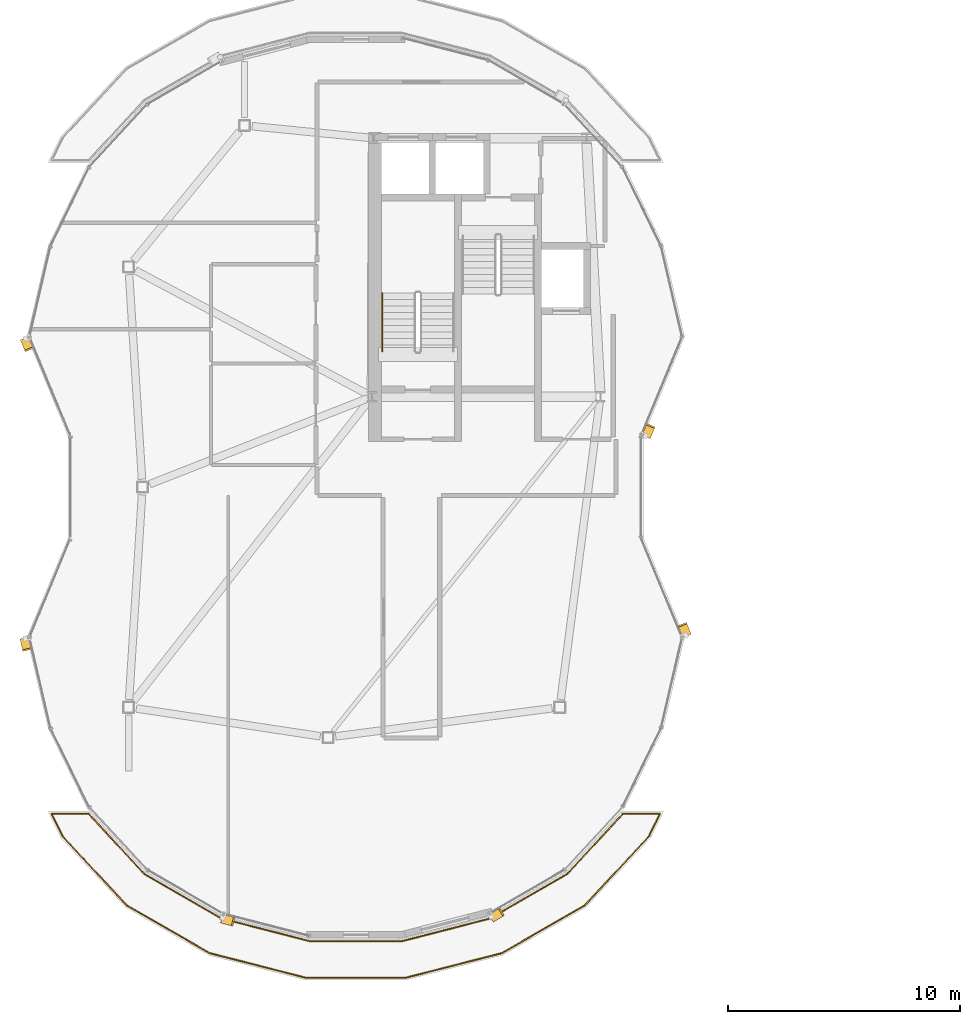
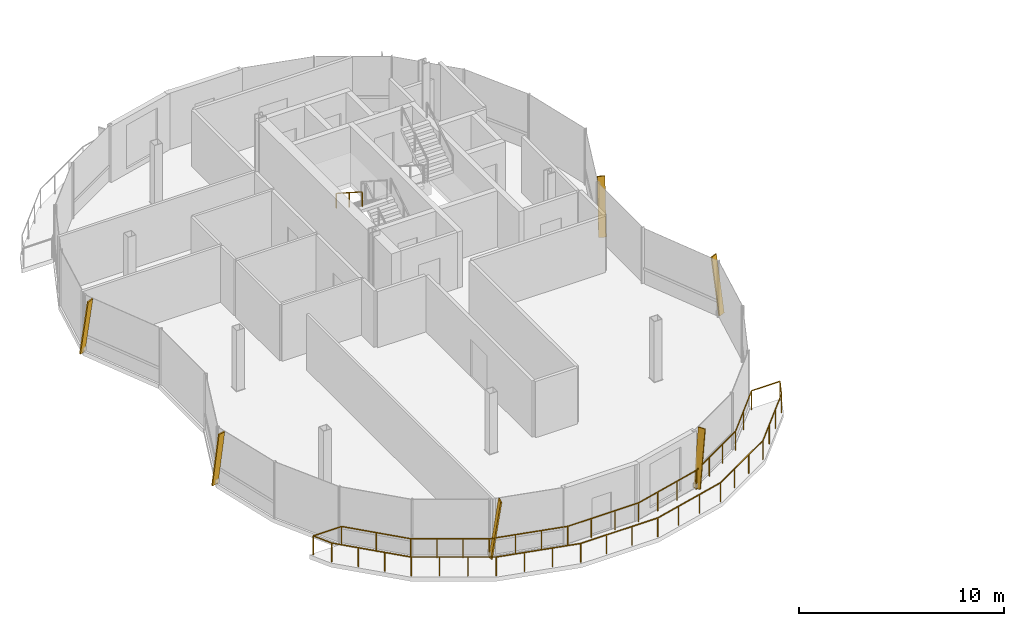
# One storey, part 17 of 20: 10 railings, 6 shading devices.
"""IFC4 building model written with IfcOpenShell, lengths in metres."""

from ifc_helpers import new_model, si_unit, direction, frame, origin, origin_2d, place, context, subcontext, project, spatial, rectangle, extrude, material, material_profile, profile_set, type_object, element, save


model = new_model("IFC4")

# Units and contexts
model_context = context("Model", 3, precision=1e-05, world=origin(), true_north=direction((0.0, 1.0)))
body_context = subcontext(model_context, "Body", "Model", "MODEL_VIEW")
ifc_project = project(units=[si_unit("LENGTHUNIT", "METRE"), si_unit("AREAUNIT", "SQUARE_METRE"), si_unit("VOLUMEUNIT", "CUBIC_METRE"), si_unit("PLANEANGLEUNIT", "RADIAN"), si_unit("MASSUNIT", "GRAM", prefix="KILO"), si_unit("THERMODYNAMICTEMPERATUREUNIT", "KELVIN"), si_unit("POWERUNIT", "WATT")], contexts=[model_context])

# Site, building, storey
site_placement = place(None, origin())
site = spatial("IfcSite", under=ifc_project, at=site_placement, CompositionType="ELEMENT")
building_placement = place(site_placement, origin())
building = spatial("IfcBuilding", under=site, at=building_placement, Name="Cundina Bronze Exchange", CompositionType="ELEMENT")
storey_placement = place(building_placement, frame((0.0, 0.0, 282.800048828125)))
storey = spatial("IfcBuildingStorey", under=building, at=storey_placement, Name="L75", CompositionType="ELEMENT", Elevation=282.800048828125)

# Railings
ifc_material_1 = material(Name="Heat-Strengthened Solar-Control Bronze Safety Glass 28mm", Category="glass")
railing_type_1 = type_object("IfcRailingType", Name="RLG-BAL-1150", PredefinedType="BALUSTRADE", material=ifc_material_1)
railing_1_placement = place(storey_placement, frame((-19.359375, -15.07470703125, 0.0)))
element("IfcRailing", 1, at=railing_1_placement, inside=storey, type_object=railing_type_1, Name="L75 Perimeter Safety Guardrail 01", PredefinedType="BALUSTRADE", context=body_context, shape_type="SweptSolid", body=[
    extrude(rectangle(XDim=0.048095703125, YDim=0.048095703125, at=origin_2d()), frame((0.0, 0.0, 1.1259765625), z_axis=(-0.680478858048, -0.732767714729, 0.0), x_axis=(0.732767714729, -0.680478858048, 0.0)), (0.0, 0.0, 1.0), 4.048095703125),
    extrude(rectangle(XDim=0.048095703125, YDim=0.048095703125, at=origin_2d()), frame((-2.754638671875, -2.96630859375, 1.1259765625), z_axis=(-0.866464594672, -0.499238526338, 0.0), x_axis=(0.499238526338, -0.866464594672, 0.0)), (0.0, 0.0, 1.0), 4.13525390625),
    extrude(rectangle(XDim=0.0419921875, YDim=0.0419921875, at=origin_2d()), origin(), (0.0, 0.0, 1.0), 1.101806640625),
    extrude(rectangle(XDim=0.0419921875, YDim=0.0419921875, at=origin_2d()), frame((-0.918212890625, -0.98876953125, 0.0)), (0.0, 0.0, 1.0), 1.101806640625),
    extrude(rectangle(XDim=0.0419921875, YDim=0.0419921875, at=origin_2d()), frame((-1.83642578125, -1.9775390625, 0.0)), (0.0, 0.0, 1.0), 1.101806640625),
    extrude(rectangle(XDim=0.0419921875, YDim=0.0419921875, at=origin_2d()), frame((-2.754638671875, -2.96630859375, 0.0)), (0.0, 0.0, 1.0), 1.101806640625),
    extrude(rectangle(XDim=0.0419921875, YDim=0.0419921875, at=origin_2d()), frame((-3.948974609375, -3.654541015625, 0.0)), (0.0, 0.0, 1.0), 1.101806640625),
    extrude(rectangle(XDim=0.0419921875, YDim=0.0419921875, at=origin_2d()), frame((-5.143310546875, -4.342529296875, 0.0)), (0.0, 0.0, 1.0), 1.101806640625),
    extrude(rectangle(XDim=0.0419921875, YDim=0.0419921875, at=origin_2d()), frame((-6.337646484375, -5.03076171875, 0.0)), (0.0, 0.0, 1.0), 1.101806640625),
])
railing_2_placement = place(storey_placement, frame((-25.697021484375, -20.10546875, 0.0)))
element("IfcRailing", 2, at=railing_2_placement, inside=storey, type_object=railing_type_1, Name="L75 Perimeter Safety Guardrail 02", PredefinedType="BALUSTRADE", context=body_context, shape_type="SweptSolid", body=[
    extrude(rectangle(XDim=0.048095703125, YDim=0.048095703125, at=origin_2d()), frame((0.0, 0.0, 1.1259765625), z_axis=(-0.968741395097, -0.248072790578, 0.0), x_axis=(0.248072790578, -0.968741395097, 0.0)), (0.0, 0.0, 1.0), 4.271240234375),
    extrude(rectangle(XDim=0.048095703125, YDim=0.048095703125, at=origin_2d()), frame((-4.1376953125, -1.0595703125, 1.1259765625), z_axis=(-1.0, 0.0, 0.0), x_axis=(0.0, -1.0, 0.0)), (0.0, 0.0, 1.0), 4.33056640625),
    extrude(rectangle(XDim=0.0419921875, YDim=0.0419921875, at=origin_2d()), origin(), (0.0, 0.0, 1.0), 1.101806640625),
    extrude(rectangle(XDim=0.0419921875, YDim=0.0419921875, at=origin_2d()), frame((-1.379150390625, -0.353271484375, 0.0)), (0.0, 0.0, 1.0), 1.101806640625),
    extrude(rectangle(XDim=0.0419921875, YDim=0.0419921875, at=origin_2d()), frame((-2.758544921875, -0.706298828125, 0.0)), (0.0, 0.0, 1.0), 1.101806640625),
    extrude(rectangle(XDim=0.0419921875, YDim=0.0419921875, at=origin_2d()), frame((-4.1376953125, -1.0595703125, 0.0)), (0.0, 0.0, 1.0), 1.101806640625),
    extrude(rectangle(XDim=0.0419921875, YDim=0.0419921875, at=origin_2d()), frame((-5.581298828125, -1.0595703125, 0.0)), (0.0, 0.0, 1.0), 1.101806640625),
    extrude(rectangle(XDim=0.0419921875, YDim=0.0419921875, at=origin_2d()), frame((-7.024658203125, -1.0595703125, 0.0)), (0.0, 0.0, 1.0), 1.101806640625),
    extrude(rectangle(XDim=0.0419921875, YDim=0.0419921875, at=origin_2d()), frame((-8.46826171875, -1.0595703125, 0.0)), (0.0, 0.0, 1.0), 1.101806640625),
])
railing_3_placement = place(storey_placement, frame((-34.165283203125, -21.1650390625, 0.0)))
element("IfcRailing", 3, at=railing_3_placement, inside=storey, type_object=railing_type_1, Name="L75 Perimeter Safety Guardrail 03", PredefinedType="BALUSTRADE", context=body_context, shape_type="SweptSolid", body=[
    extrude(rectangle(XDim=0.048095703125, YDim=0.048095703125, at=origin_2d()), frame((0.0, 0.0, 1.1259765625), z_axis=(-0.968741395097, 0.248072790578, 0.0), x_axis=(-0.248072790578, -0.968741395097, 0.0)), (0.0, 0.0, 1.0), 4.271240234375),
    extrude(rectangle(XDim=0.048095703125, YDim=0.048095703125, at=origin_2d()), frame((-4.1376953125, 1.0595703125, 1.1259765625), z_axis=(-0.866464594672, 0.499238526338, 0.0), x_axis=(-0.499238526338, -0.866464594672, 0.0)), (0.0, 0.0, 1.0), 4.13525390625),
    extrude(rectangle(XDim=0.0419921875, YDim=0.0419921875, at=origin_2d()), origin(), (0.0, 0.0, 1.0), 1.101806640625),
    extrude(rectangle(XDim=0.0419921875, YDim=0.0419921875, at=origin_2d()), frame((-1.379150390625, 0.353271484375, 0.0)), (0.0, 0.0, 1.0), 1.101806640625),
    extrude(rectangle(XDim=0.0419921875, YDim=0.0419921875, at=origin_2d()), frame((-2.758544921875, 0.706298828125, 0.0)), (0.0, 0.0, 1.0), 1.101806640625),
    extrude(rectangle(XDim=0.0419921875, YDim=0.0419921875, at=origin_2d()), frame((-4.1376953125, 1.0595703125, 0.0)), (0.0, 0.0, 1.0), 1.101806640625),
    extrude(rectangle(XDim=0.0419921875, YDim=0.0419921875, at=origin_2d()), frame((-5.33203125, 1.747802734375, 0.0)), (0.0, 0.0, 1.0), 1.101806640625),
    extrude(rectangle(XDim=0.0419921875, YDim=0.0419921875, at=origin_2d()), frame((-6.5263671875, 2.435791015625, 0.0)), (0.0, 0.0, 1.0), 1.101806640625),
    extrude(rectangle(XDim=0.0419921875, YDim=0.0419921875, at=origin_2d()), frame((-7.720703125, 3.1240234375, 0.0)), (0.0, 0.0, 1.0), 1.101806640625),
])
railing_4_placement = place(storey_placement, frame((-41.885986328125, -18.041015625, 0.0)))
element("IfcRailing", 4, at=railing_4_placement, inside=storey, type_object=railing_type_1, Name="L75 Perimeter Safety Guardrail 04", PredefinedType="BALUSTRADE", context=body_context, shape_type="SweptSolid", body=[
    extrude(rectangle(XDim=0.048095703125, YDim=0.048095703125, at=origin_2d()), frame((0.0, 0.0, 1.1259765625), z_axis=(-0.680478858048, 0.732767714729, 0.0), x_axis=(-0.732767714729, -0.680478858048, 0.0)), (0.0, 0.0, 1.0), 4.048095703125),
    extrude(rectangle(XDim=0.048095703125, YDim=0.048095703125, at=origin_2d()), frame((-2.754638671875, 2.96630859375, 1.1259765625), z_axis=(-0.43927470941, 0.898352786868, 0.0), x_axis=(-0.898352786868, -0.43927470941, 0.0)), (0.0, 0.0, 1.0), 1.0849609375),
    extrude(rectangle(XDim=0.0419921875, YDim=0.0419921875, at=origin_2d()), origin(), (0.0, 0.0, 1.0), 1.101806640625),
    extrude(rectangle(XDim=0.0419921875, YDim=0.0419921875, at=origin_2d()), frame((-0.918212890625, 0.98876953125, 0.0)), (0.0, 0.0, 1.0), 1.101806640625),
    extrude(rectangle(XDim=0.0419921875, YDim=0.0419921875, at=origin_2d()), frame((-1.83642578125, 1.9775390625, 0.0)), (0.0, 0.0, 1.0), 1.101806640625),
    extrude(rectangle(XDim=0.0419921875, YDim=0.0419921875, at=origin_2d()), frame((-2.754638671875, 2.96630859375, 0.0)), (0.0, 0.0, 1.0), 1.101806640625),
    extrude(rectangle(XDim=0.0419921875, YDim=0.0419921875, at=origin_2d()), frame((-3.231201171875, 3.94091796875, 0.0)), (0.0, 0.0, 1.0), 1.101806640625),
])
railing_5_placement = place(storey_placement, frame((-45.1171875, -14.10009765625, 0.0)))
element("IfcRailing", 5, at=railing_5_placement, inside=storey, type_object=railing_type_1, Name="L75 Perimeter Safety Guardrail 05", PredefinedType="BALUSTRADE", context=body_context, shape_type="SweptSolid", body=[
    extrude(rectangle(XDim=0.048095703125, YDim=0.048095703125, at=origin_2d()), frame((0.0, 0.0, 1.1259765625), z_axis=(1.0, 0.0, 0.0), x_axis=(0.0, 1.0, 0.0)), (0.0, 0.0, 1.0), 1.595458984375),
    extrude(rectangle(XDim=0.048095703125, YDim=0.048095703125, at=origin_2d()), frame((1.595458984375, 0.0, 1.1259765625), z_axis=(0.679395599719, -0.733772184729, 0.0), x_axis=(0.733772184729, 0.679395599719, 0.0)), (0.0, 0.0, 1.0), 3.5244140625),
    extrude(rectangle(XDim=0.0419921875, YDim=0.0419921875, at=origin_2d()), origin(), (0.0, 0.0, 1.0), 1.101806640625),
    extrude(rectangle(XDim=0.0419921875, YDim=0.0419921875, at=origin_2d()), frame((1.595458984375, 0.0, 0.0)), (0.0, 0.0, 1.0), 1.101806640625),
    extrude(rectangle(XDim=0.0419921875, YDim=0.0419921875, at=origin_2d()), frame((2.792724609375, -1.29296875, 0.0)), (0.0, 0.0, 1.0), 1.101806640625),
    extrude(rectangle(XDim=0.0419921875, YDim=0.0419921875, at=origin_2d()), frame((3.989990234375, -2.586181640625, 0.0)), (0.0, 0.0, 1.0), 1.101806640625),
])
railing_6_placement = place(storey_placement, frame((-41.127197265625, -16.686279296875, 0.0)))
element("IfcRailing", 6, at=railing_6_placement, inside=storey, type_object=railing_type_1, Name="L75 Perimeter Safety Guardrail 06", PredefinedType="BALUSTRADE", context=body_context, shape_type="SweptSolid", body=[
    extrude(rectangle(XDim=0.048095703125, YDim=0.048095703125, at=origin_2d()), frame((0.0, 0.0, 1.1259765625), z_axis=(0.86517535854, -0.501469439721, 0.0), x_axis=(0.501469439721, 0.86517535854, 0.0)), (0.0, 0.0, 1.0), 3.82080078125),
    extrude(rectangle(XDim=0.048095703125, YDim=0.048095703125, at=origin_2d()), frame((3.3056640625, -1.916015625, 1.1259765625), z_axis=(0.968310500269, -0.249749424563, 0.0), x_axis=(0.249749424563, 0.968310500269, 0.0)), (0.0, 0.0, 1.0), 3.9619140625),
    extrude(rectangle(XDim=0.0419921875, YDim=0.0419921875, at=origin_2d()), origin(), (0.0, 0.0, 1.0), 1.101806640625),
    extrude(rectangle(XDim=0.0419921875, YDim=0.0419921875, at=origin_2d()), frame((1.101806640625, -0.638671875, 0.0)), (0.0, 0.0, 1.0), 1.101806640625),
    extrude(rectangle(XDim=0.0419921875, YDim=0.0419921875, at=origin_2d()), frame((2.203857421875, -1.27734375, 0.0)), (0.0, 0.0, 1.0), 1.101806640625),
    extrude(rectangle(XDim=0.0419921875, YDim=0.0419921875, at=origin_2d()), frame((3.3056640625, -1.916015625, 0.0)), (0.0, 0.0, 1.0), 1.101806640625),
    extrude(rectangle(XDim=0.0419921875, YDim=0.0419921875, at=origin_2d()), frame((4.58447265625, -2.245849609375, 0.0)), (0.0, 0.0, 1.0), 1.101806640625),
    extrude(rectangle(XDim=0.0419921875, YDim=0.0419921875, at=origin_2d()), frame((5.86328125, -2.57568359375, 0.0)), (0.0, 0.0, 1.0), 1.101806640625),
    extrude(rectangle(XDim=0.0419921875, YDim=0.0419921875, at=origin_2d()), frame((7.14208984375, -2.905517578125, 0.0)), (0.0, 0.0, 1.0), 1.101806640625),
])
railing_7_placement = place(storey_placement, frame((-33.985107421875, -19.591796875, 0.0)))
element("IfcRailing", 7, at=railing_7_placement, inside=storey, type_object=railing_type_1, Name="L75 Perimeter Safety Guardrail 07", PredefinedType="BALUSTRADE", context=body_context, shape_type="SweptSolid", body=[
    extrude(rectangle(XDim=0.048095703125, YDim=0.048095703125, at=origin_2d()), frame((0.0, 0.0, 1.1259765625), z_axis=(0.999999992474, 0.000122684332, 0.0), x_axis=(-0.000122684332, 0.999999992474, 0.0)), (0.0, 0.0, 1.0), 3.97998046875),
    extrude(rectangle(XDim=0.048095703125, YDim=0.048095703125, at=origin_2d()), frame((3.97998046875, 0.00048828125, 1.1259765625), z_axis=(0.968349470457, 0.249598283379, 0.0), x_axis=(-0.249598283379, 0.968349470457, 0.0)), (0.0, 0.0, 1.0), 3.93310546875),
    extrude(rectangle(XDim=0.0419921875, YDim=0.0419921875, at=origin_2d()), origin(), (0.0, 0.0, 1.0), 1.101806640625),
    extrude(rectangle(XDim=0.0419921875, YDim=0.0419921875, at=origin_2d()), frame((1.32666015625, 0.000244140625, 0.0)), (0.0, 0.0, 1.0), 1.101806640625),
    extrude(rectangle(XDim=0.0419921875, YDim=0.0419921875, at=origin_2d()), frame((2.6533203125, 0.000244140625, 0.0)), (0.0, 0.0, 1.0), 1.101806640625),
    extrude(rectangle(XDim=0.0419921875, YDim=0.0419921875, at=origin_2d()), frame((3.97998046875, 0.00048828125, 0.0)), (0.0, 0.0, 1.0), 1.101806640625),
    extrude(rectangle(XDim=0.0419921875, YDim=0.0419921875, at=origin_2d()), frame((5.24951171875, 0.32763671875, 0.0)), (0.0, 0.0, 1.0), 1.101806640625),
    extrude(rectangle(XDim=0.0419921875, YDim=0.0419921875, at=origin_2d()), frame((6.51904296875, 0.655029296875, 0.0)), (0.0, 0.0, 1.0), 1.101806640625),
    extrude(rectangle(XDim=0.0419921875, YDim=0.0419921875, at=origin_2d()), frame((7.78857421875, 0.982177734375, 0.0)), (0.0, 0.0, 1.0), 1.101806640625),
])
railing_8_placement = place(storey_placement, frame((-26.196533203125, -18.609619140625, 0.0)))
element("IfcRailing", 8, at=railing_8_placement, inside=storey, type_object=railing_type_1, Name="L75 Perimeter Safety Guardrail 08", PredefinedType="BALUSTRADE", context=body_context, shape_type="SweptSolid", body=[
    extrude(rectangle(XDim=0.048095703125, YDim=0.048095703125, at=origin_2d()), frame((0.0, 0.0, 1.1259765625), z_axis=(0.865530732652, 0.50085581841, 0.0), x_axis=(-0.50085581841, 0.865530732652, 0.0)), (0.0, 0.0, 1.0), 3.840087890625),
    extrude(rectangle(XDim=0.048095703125, YDim=0.048095703125, at=origin_2d()), frame((3.32373046875, 1.92333984375, 1.1259765625), z_axis=(0.679395599719, 0.733772184729, 0.0), x_axis=(-0.733772184729, 0.679395599719, 0.0)), (0.0, 0.0, 1.0), 3.5244140625),
    extrude(rectangle(XDim=0.0419921875, YDim=0.0419921875, at=origin_2d()), origin(), (0.0, 0.0, 1.0), 1.101806640625),
    extrude(rectangle(XDim=0.0419921875, YDim=0.0419921875, at=origin_2d()), frame((1.10791015625, 0.64111328125, 0.0)), (0.0, 0.0, 1.0), 1.101806640625),
    extrude(rectangle(XDim=0.0419921875, YDim=0.0419921875, at=origin_2d()), frame((2.2158203125, 1.2822265625, 0.0)), (0.0, 0.0, 1.0), 1.101806640625),
    extrude(rectangle(XDim=0.0419921875, YDim=0.0419921875, at=origin_2d()), frame((3.32373046875, 1.92333984375, 0.0)), (0.0, 0.0, 1.0), 1.101806640625),
    extrude(rectangle(XDim=0.0419921875, YDim=0.0419921875, at=origin_2d()), frame((4.52099609375, 3.21630859375, 0.0)), (0.0, 0.0, 1.0), 1.101806640625),
    extrude(rectangle(XDim=0.0419921875, YDim=0.0419921875, at=origin_2d()), frame((5.71826171875, 4.509521484375, 0.0)), (0.0, 0.0, 1.0), 1.101806640625),
])
railing_9_placement = place(storey_placement, frame((-20.478271484375, -14.10009765625, 0.0)))
element("IfcRailing", 9, at=railing_9_placement, inside=storey, type_object=railing_type_1, Name="L75 Perimeter Safety Guardrail 09", PredefinedType="BALUSTRADE", context=body_context, shape_type="SweptSolid", body=[
    extrude(rectangle(XDim=0.048095703125, YDim=0.048095703125, at=origin_2d()), frame((0.0, 0.0, 1.1259765625), z_axis=(1.0, 0.0, 0.0), x_axis=(0.0, 1.0, 0.0)), (0.0, 0.0, 1.0), 1.595458984375),
    extrude(rectangle(XDim=0.048095703125, YDim=0.048095703125, at=origin_2d()), frame((1.595458984375, 0.0, 1.1259765625), z_axis=(-0.43927470941, -0.898352786868, 0.0), x_axis=(0.898352786868, -0.43927470941, 0.0)), (0.0, 0.0, 1.0), 1.0849609375),
    extrude(rectangle(XDim=0.0419921875, YDim=0.0419921875, at=origin_2d()), origin(), (0.0, 0.0, 1.0), 1.101806640625),
    extrude(rectangle(XDim=0.0419921875, YDim=0.0419921875, at=origin_2d()), frame((1.595458984375, 0.0, 0.0)), (0.0, 0.0, 1.0), 1.101806640625),
    extrude(rectangle(XDim=0.0419921875, YDim=0.0419921875, at=origin_2d()), frame((1.118896484375, -0.974609375, 0.0)), (0.0, 0.0, 1.0), 1.101806640625),
])
ifc_material_2 = material(Name="Steel ASTM A36 Painted", Category="steel")
railing_type_2 = type_object("IfcRailingType", Name="RLG-HND-900", PredefinedType="HANDRAIL", material=ifc_material_2)
railing_10_placement = place(storey_placement, frame((-30.85009765625, 8.3701171875, 1.97998046875)))
element("IfcRailing", 10, at=railing_10_placement, inside=storey, type_object=railing_type_2, Name="L75 ST-W1 stair handrail 2", PredefinedType="HANDRAIL", context=body_context, shape_type="SweptSolid", body=[
    extrude(rectangle(XDim=0.048095703125, YDim=0.048095703125, at=origin_2d()), frame((0.0, 0.0, 0.8759765625), z_axis=(0.0, -0.841199657755, 0.540724639528), x_axis=(1.0, 0.0, 0.0)), (0.0, 0.0, 1.0), 2.995849609375),
    extrude(rectangle(XDim=0.0419921875, YDim=0.0419921875, at=origin_2d()), origin(), (0.0, 0.0, 1.0), 0.851806640625),
    extrude(rectangle(XDim=0.0419921875, YDim=0.0419921875, at=origin_2d()), frame((0.0, -1.260009765625, 0.81005859375)), (0.0, 0.0, 1.0), 0.851806640625),
    extrude(rectangle(XDim=0.0419921875, YDim=0.0419921875, at=origin_2d()), frame((0.0, -2.52001953125, 1.619873046875)), (0.0, 0.0, 1.0), 0.851806640625),
])

# Shading devices
ifc_material_3 = material(Name="Anodised Bronze Aluminium 6063-T6", Category="aluminium")
ifc_material_profile = material_profile(ifc_material_3, rectangle(XDim=0.070068359375, YDim=0.3798828125, at=origin_2d()), Name="FIN70X380", Category="aluminium")
ifc_profile_set = profile_set([ifc_material_profile], Name="Anodised Bronze Aluminium 6063-T6")
shading_device_type = type_object("IfcShadingDeviceType", Name="SHD-FIN-BRZ380", PredefinedType="USERDEFINED", material=ifc_profile_set)
for number, where, z_axis, x_axis, name in (
    (11, (-19.461669921875, 2.19091796875, 0.02001953125), (0.055200069326, 0.133021917727, 0.989574717619), (-0.379283695566, -0.914003282285, 0.144020409142), "L75 Diagonal Bronze Solar Fin 1"),
    (12, (-46.2783203125, 6.385009765625, 0.02001953125), (0.055127619035, -0.1329505394, 0.989588348604), (-0.37903768001, 0.914120088842, 0.143926718531), "L75 Diagonal Bronze Solar Fin 5"),
    (13, (-46.29150390625, -6.54443359375, 0.02001953125), (0.03250557226, -0.140198583057, 0.989589685213), (-0.223511197181, 0.964017888742, 0.143917528186), "L75 Diagonal Bronze Solar Fin 1"),
    (14, (-37.7548828125, -18.62744140625, 0.02001953125), (0.139392541617, -0.035946290932, 0.989584550966), (-0.958235473959, 0.247107992497, 0.143952827309), "L75 Diagonal Bronze Solar Fin 5"),
    (15, (-26.131591796875, -18.5810546875, 0.02001953125), (0.124531728208, 0.072112729151, 0.989591634445), (-0.856372650345, -0.495900682299, 0.143904124458), "L75 Diagonal Bronze Solar Fin 1"),
    (16, (-17.7216796875, -6.385009765625, 0.02001953125), (-0.055127619035, 0.1329505394, 0.989588348604), (0.37903768001, -0.914120088842, 0.143926718531), "L75 Diagonal Bronze Solar Fin 5"),
):
    element("IfcShadingDevice", number, at=place(storey_placement, frame(where, z_axis=z_axis, x_axis=x_axis)), inside=storey, type_object=shading_device_type, Name=name, ObjectType="FIN", PredefinedType="USERDEFINED", context=body_context, shape_type="SweptSolid", body=[
        extrude(rectangle(XDim=0.070068359375, YDim=0.3798828125, at=origin_2d()), origin(), (0.0, 0.0, 1.0), 3.334716796875),
    ])

save(model, "model.ifc")
